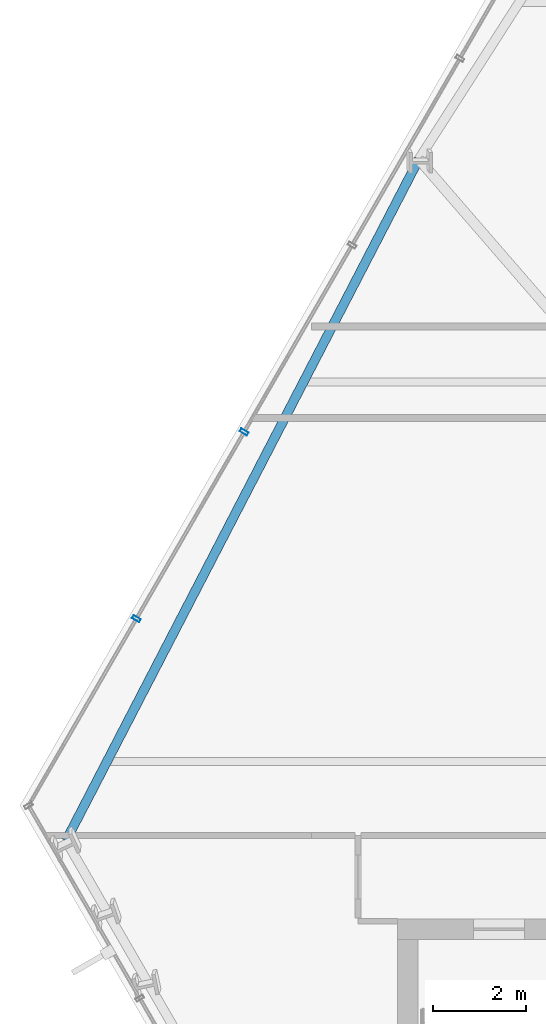
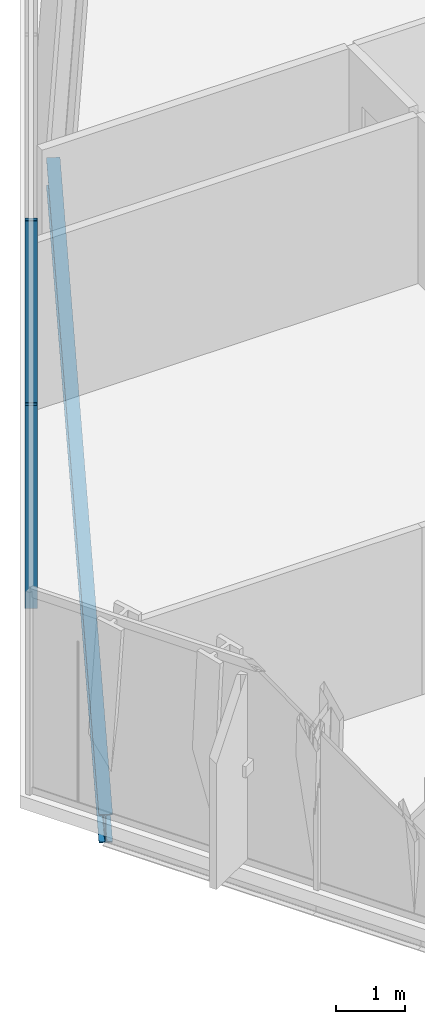
# One storey, part 11 of 33: 2 members, 1 beam, 1 element without a shape of its own.
"""IFC4 building model written with IfcOpenShell, lengths in metres."""

from ifc_helpers import new_model, si_unit, direction, frame, origin, origin_2d, place, context, subcontext, project, spatial, hollow_rectangle, i_section, extrude, material, layer, layer_set, material_profile, profile_set, type_object, element, aggregate, save


model = new_model("IFC4")

# Units and contexts
model_context = context("Model", 3, precision=1e-05, world=origin(), true_north=direction((0.0, 1.0)))
body_context = subcontext(model_context, "Body", "Model", "MODEL_VIEW")
ifc_project = project(units=[si_unit("LENGTHUNIT", "METRE"), si_unit("AREAUNIT", "SQUARE_METRE"), si_unit("VOLUMEUNIT", "CUBIC_METRE"), si_unit("PLANEANGLEUNIT", "RADIAN"), si_unit("MASSUNIT", "GRAM", prefix="KILO")], contexts=[model_context])

# Site, building, storey
site_placement = place(None, origin())
site = spatial("IfcSite", under=ifc_project, at=site_placement, CompositionType="ELEMENT")
building_placement = place(site_placement, origin())
building = spatial("IfcBuilding", under=site, at=building_placement, Name="Ndaravel Arena Tower", CompositionType="ELEMENT")
storey_placement = place(building_placement, frame((0.0, 0.0, 89.199951171875)))
storey = spatial("IfcBuildingStorey", under=building, at=storey_placement, Name="L20", CompositionType="ELEMENT", Elevation=89.199951171875)

# Beam
ifc_material_1 = material(Name="Steel S355", Category="steel")
ifc_material_profile_1 = material_profile(ifc_material_1, i_section(OverallWidth=0.199951171875, OverallDepth=0.5, WebThickness=0.01025390625, FlangeThickness=0.01611328125, FilletRadius=0.02099609375, at=origin_2d()), Name="IPE 500")
ifc_profile_set_1 = profile_set([ifc_material_profile_1], Name="Steel S355")
beam_type = type_object("IfcBeamType", Name="BM-SPAN-IPE500", PredefinedType="SPANDREL", material=ifc_profile_set_1)
beam_placement = place(storey_placement, frame((26.912841796875, 31.61181640625, -0.469970703125), z_axis=(-0.459755761058, -0.888045404342, 0.0), x_axis=(0.888045404342, -0.459755761058, 0.0)))
element("IfcBeam", 1, at=beam_placement, inside=storey, type_object=beam_type, Name="L20 Perimeter Spandrel Beam SP-19", PredefinedType="SPANDREL", context=body_context, shape_type="SweptSolid", body=[
    extrude(i_section(OverallWidth=0.199951171875, OverallDepth=0.5, WebThickness=0.01025390625, FlangeThickness=0.01611328125, FilletRadius=0.02099609375, at=origin_2d()), origin(), (0.0, 0.0, 1.0), 16.58056640625),
])

# Curtain wall, members
ifc_material_2 = material(Name="Aluminium", Category="aluminium")
ifc_layer = layer(ifc_material_2, 0.179931640625)
ifc_layer_set = layer_set([ifc_layer], Name="Aluminium")
curtain_wall_type = type_object("IfcCurtainWallType", Name="CW-SYS-03", PredefinedType="NOTDEFINED", material=ifc_layer_set)
curtain_wall_placement = place(storey_placement, origin())
curtain_wall = element("IfcCurtainWall", 2, at=curtain_wall_placement, inside=storey, type_object=curtain_wall_type, Name="L20 Faceted Crystal Curtain Wall CW-L20-E05", PredefinedType="NOTDEFINED")
ifc_material_3 = material(Name="Aluminium", Category="aluminium")
ifc_material_profile_2 = material_profile(ifc_material_3, hollow_rectangle(XDim=0.074951171875, YDim=0.179931640625, WallThickness=0.00390625, at=origin_2d()), Name="CW MULLION 75x180x4")
ifc_profile_set_2 = profile_set([ifc_material_profile_2], Name="Aluminium")
member_type = type_object("IfcMemberType", Name="MEM-CW-MUL180", PredefinedType="MULLION", material=ifc_profile_set_2)
member_1_placement = place(storey_placement, frame((23.140869140625, 25.71875, 0.0), z_axis=(0.0, 0.0, 1.0), x_axis=(-0.5, -0.866025403784, 0.0)))
member_1 = element("IfcMember", 3, at=member_1_placement, type_object=member_type, Name="CW-L20-E05 Mullion 05", PredefinedType="MULLION", context=body_context, shape_type="SweptSolid", body=[
    extrude(hollow_rectangle(XDim=0.074951171875, YDim=0.179931640625, WallThickness=0.00390625, at=origin_2d()), origin(), (0.0, 0.0, 1.0), 3.580078125),
])
member_2_placement = place(storey_placement, frame((20.81103515625, 21.683349609375, 0.0), z_axis=(0.0, 0.0, 1.0), x_axis=(-0.5, -0.866025403784, 0.0)))
member_2 = element("IfcMember", 4, at=member_2_placement, type_object=member_type, Name="CW-L20-E05 Mullion 06", PredefinedType="MULLION", context=body_context, shape_type="SweptSolid", body=[
    extrude(hollow_rectangle(XDim=0.074951171875, YDim=0.179931640625, WallThickness=0.00390625, at=origin_2d()), origin(), (0.0, 0.0, 1.0), 3.580078125),
])
aggregate(curtain_wall, [member_1, member_2])

save(model, "model.ifc")
